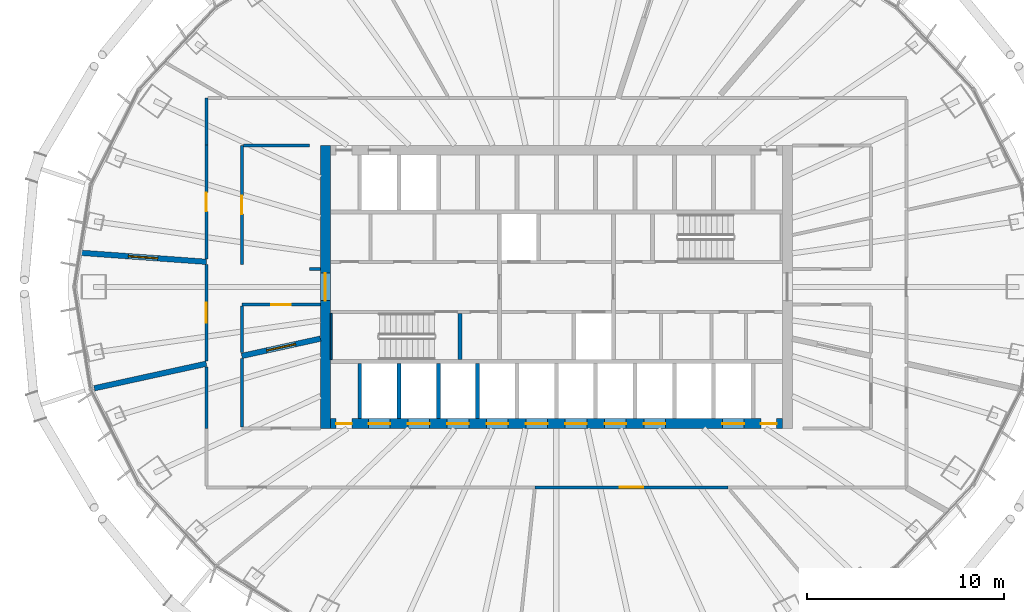
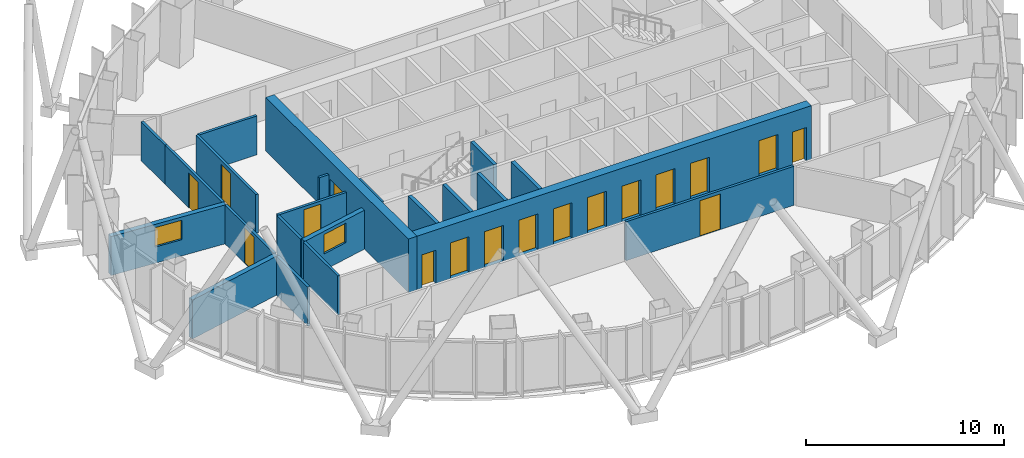
# One storey, part 8 of 18: 22 walls, 17 doors, 2 windows, 19 openings.
"""IFC4 building model written with IfcOpenShell, lengths in metres."""

from ifc_helpers import new_model, si_unit, direction, frame, frame_2d, origin, place, context, subcontext, project, spatial, rectangle, extrude, material, layer, layer_set, type_object, element, fill, save


model = new_model("IFC4")

# Units and contexts
model_context = context("Model", 3, precision=1e-05, world=origin(), true_north=direction((0.0, 1.0)))
body_context = subcontext(model_context, "Body", "Model", "MODEL_VIEW")
ifc_project = project(units=[si_unit("LENGTHUNIT", "METRE"), si_unit("AREAUNIT", "SQUARE_METRE"), si_unit("VOLUMEUNIT", "CUBIC_METRE"), si_unit("PLANEANGLEUNIT", "RADIAN"), si_unit("MASSUNIT", "GRAM", prefix="KILO")], contexts=[model_context])

# Site, building, storey
site_placement = place(None, origin())
site = spatial("IfcSite", under=ifc_project, at=site_placement, CompositionType="ELEMENT")
building_placement = place(site_placement, origin())
building = spatial("IfcBuilding", under=site, at=building_placement, Name="Siaravel Broadcast Tower", CompositionType="ELEMENT")
storey_placement = place(building_placement, frame((0.0, 0.0, 141.5)))
storey = spatial("IfcBuildingStorey", under=building, at=storey_placement, Name="L34", CompositionType="ELEMENT", Elevation=141.5)

# Wall, opening, window
ifc_material_1 = material(Name="Double-leaf acoustic partition", Category="gypsum")
ifc_layer_1 = layer(ifc_material_1, 0.280029296875)
ifc_layer_set_1 = layer_set([ifc_layer_1], Name="Double-leaf acoustic partition")
wall_type_1 = type_object("IfcWallType", Name="Acoustic double-leaf wall 280", PredefinedType="PARTITIONING", material=ifc_layer_set_1)
wall_1_placement = place(storey_placement, frame((-24.240234375, 1.737060546875, 0.0), z_axis=(0.0, 0.0, 1.0), x_axis=(0.997443129, -0.071464707, 0.0)))
wall_1 = element("IfcWall", 1, at=wall_1_placement, inside=storey, type_object=wall_type_1, Name="L34 partition 13", PredefinedType="PARTITIONING", context=body_context, shape_type="SweptSolid", body=[
    extrude(rectangle(XDim=6.456787109375, YDim=0.280029296875, at=frame_2d((3.228515625, 0.0))), origin(), (0.0, 0.0, 1.0), 2.39990234375),
])
opening_1_placement = place(wall_1_placement, frame((2.478271484375, 0.0, 1.0)))
opening_1 = element("IfcOpeningElement", 2, at=opening_1_placement, cuts=wall_1, Name="Opening L34-W04", PredefinedType="OPENING", context=body_context, shape_type="SweptSolid", body=[
    extrude(rectangle(XDim=1.5, YDim=1.199951171875, at=frame_2d((0.75, 0.60009765625))), frame((0.0, 0.14990234375, 0.0), z_axis=(0.0, -1.0, 0.0), x_axis=(1.0, 0.0, 0.0)), (0.0, 0.0, 1.0), 0.300048828125),
])
ifc_material_2 = material(Name="Laminated acoustic glass", Category="glass")
window_type = type_object("IfcWindowType", Name="Studio viewing window 1500", PartitioningType="SINGLE_PANEL", PredefinedType="WINDOW", material=ifc_material_2)
window_1_placement = place(opening_1_placement, origin())
window_1 = element("IfcWindow", 3, at=window_1_placement, inside=storey, type_object=window_type, Name="L34 viewing window to Post-production room", OverallHeight=1.199951171875, OverallWidth=1.5, PartitioningType="SINGLE_PANEL", PredefinedType="WINDOW", context=body_context, shape_type="SweptSolid", body=[
    extrude(rectangle(XDim=1.5, YDim=1.199951171875, at=frame_2d((0.75, 0.60009765625))), frame((0.0, 0.030029296875, 0.0), z_axis=(0.0, -1.0, 0.0), x_axis=(1.0, 0.0, 0.0)), (0.0, 0.0, 1.0), 0.06005859375),
])
fill(opening_1, window_1)

# Wall
wall_2_placement = place(storey_placement, frame((-17.800048828125, -3.90673828125, 0.0), z_axis=(0.0, 0.0, 1.0), x_axis=(-0.976754381, -0.21436156, 0.0)))
element("IfcWall", 4, at=wall_2_placement, inside=storey, type_object=wall_type_1, Name="L34 partition 17", PredefinedType="PARTITIONING", context=body_context, shape_type="SweptSolid", body=[
    extrude(rectangle(XDim=5.838134765625, YDim=0.280029296875, at=frame_2d((2.9189453125, 0.0))), origin(), (0.0, 0.0, 1.0), 2.39990234375),
])

# Wall, opening, window
wall_3_placement = place(storey_placement, frame((-12.0, -2.6337890625, 0.0), z_axis=(0.0, 0.0, 1.0), x_axis=(-0.976750433, -0.214379551, 0.0)))
wall_3 = element("IfcWall", 5, at=wall_3_placement, inside=storey, type_object=wall_type_1, Name="L34 partition 23", PredefinedType="PARTITIONING", context=body_context, shape_type="SweptSolid", body=[
    extrude(rectangle(XDim=4.09521484375, YDim=0.280029296875, at=frame_2d((2.047607421875, 0.0))), origin(), (0.0, 0.0, 1.0), 2.39990234375),
])
opening_2_placement = place(wall_3_placement, frame((1.297607421875, 0.0, 1.0)))
opening_2 = element("IfcOpeningElement", 6, at=opening_2_placement, cuts=wall_3, Name="Opening L34-W05", PredefinedType="OPENING", context=body_context, shape_type="SweptSolid", body=[
    extrude(rectangle(XDim=1.5, YDim=1.199951171875, at=frame_2d((0.75, 0.60009765625))), frame((0.0, 0.14990234375, 0.0), z_axis=(0.0, -1.0, 0.0), x_axis=(1.0, 0.0, 0.0)), (0.0, 0.0, 1.0), 0.300048828125),
])
window_2_placement = place(opening_2_placement, origin())
window_2 = element("IfcWindow", 7, at=window_2_placement, inside=storey, type_object=window_type, Name="L34 viewing window to Post-production room", OverallHeight=1.199951171875, OverallWidth=1.5, PartitioningType="SINGLE_PANEL", PredefinedType="WINDOW", context=body_context, shape_type="SweptSolid", body=[
    extrude(rectangle(XDim=1.5, YDim=1.199951171875, at=frame_2d((0.75, 0.60009765625))), frame((0.0, 0.030029296875, 0.0), z_axis=(0.0, -1.0, 0.0), x_axis=(1.0, 0.0, 0.0)), (0.0, 0.0, 1.0), 0.06005859375),
])
fill(opening_2, window_2)

# Wall, opening, door
ifc_material_3 = material(Name="Concrete C60/75", Category="concrete")
ifc_layer_2 = layer(ifc_material_3, 0.5)
ifc_layer_set_2 = layer_set([ifc_layer_2], Name="Concrete C60/75")
wall_type_2 = type_object("IfcWallType", Name="Core wall 500", PredefinedType="SHEAR", material=ifc_layer_set_2)
wall_4_placement = place(storey_placement, frame((-11.75, -7.199951171875, 0.0), z_axis=(0.0, 0.0, 1.0), x_axis=(0.0, 1.0, 0.0)))
wall_4 = element("IfcWall", 8, at=wall_4_placement, inside=storey, type_object=wall_type_2, Name="L34 core wall OW", PredefinedType="SHEAR", context=body_context, shape_type="SweptSolid", body=[
    extrude(rectangle(XDim=14.39990234375, YDim=0.5, at=frame_2d((7.199951171875, 0.0))), origin(), (0.0, 0.0, 1.0), 3.300048828125),
])
opening_3_placement = place(wall_4_placement, frame((6.5, 0.0, 0.0)))
opening_3 = element("IfcOpeningElement", 9, at=opening_3_placement, cuts=wall_4, Name="Opening L34-DX-W", PredefinedType="OPENING", context=body_context, shape_type="SweptSolid", body=[
    extrude(rectangle(XDim=1.39990234375, YDim=2.199951171875, at=frame_2d((0.699951171875, 1.10009765625))), frame((0.0, 0.260009765625, 0.0), z_axis=(0.0, -1.0, 0.0), x_axis=(1.0, 0.0, 0.0)), (0.0, 0.0, 1.0), 0.52001953125),
])
ifc_material_4 = material(Name="Steel", Category="steel")
door_type_1 = type_object("IfcDoorType", Name="Core exit door 1400", OperationType="DOUBLE_DOOR_SINGLE_SWING", PredefinedType="DOOR", material=ifc_material_4)
door_1_placement = place(opening_3_placement, origin())
door_1 = element("IfcDoor", 10, at=door_1_placement, inside=storey, type_object=door_type_1, Name="L34 door DX-W", OperationType="DOUBLE_DOOR_SINGLE_SWING", OverallHeight=2.199951171875, OverallWidth=1.39990234375, PredefinedType="DOOR", context=body_context, shape_type="SweptSolid", body=[
    extrude(rectangle(XDim=1.39990234375, YDim=2.199951171875, at=frame_2d((0.699951171875, 1.10009765625))), frame((0.0, 0.02490234375, 0.0), z_axis=(0.0, -1.0, 0.0), x_axis=(1.0, 0.0, 0.0)), (0.0, 0.0, 1.0), 0.050048828125),
])
fill(opening_3, door_1)

# Wall, openings, doors
wall_5_placement = place(storey_placement, frame((-11.5, -6.949951171875, 0.0), z_axis=(0.0, 0.0, 1.0), x_axis=(1.0, 0.0, 0.0)))
wall_5 = element("IfcWall", 11, at=wall_5_placement, inside=storey, type_object=wall_type_2, Name="L34 core wall OS", PredefinedType="SHEAR", context=body_context, shape_type="SweptSolid", body=[
    extrude(rectangle(XDim=23.0, YDim=0.5, at=frame_2d((11.5, 0.0))), origin(), (0.0, 0.0, 1.0), 3.300048828125),
])
opening_4_placement = place(wall_5_placement, frame((1.949951171875, 0.0, 0.0)))
opening_4 = element("IfcOpeningElement", 12, at=opening_4_placement, cuts=wall_5, Name="Opening LD-LP1-L34", PredefinedType="OPENING", context=body_context, shape_type="SweptSolid", body=[
    extrude(rectangle(XDim=1.10009765625, YDim=2.199951171875, at=frame_2d((0.550048828125, 1.10009765625))), frame((0.0, 0.260009765625, 0.0), z_axis=(0.0, -1.0, 0.0), x_axis=(1.0, 0.0, 0.0)), (0.0, 0.0, 1.0), 0.52001953125),
])
opening_5_placement = place(wall_5_placement, frame((3.949951171875, 0.0, 0.0)))
opening_5 = element("IfcOpeningElement", 13, at=opening_5_placement, cuts=wall_5, Name="Opening LD-LP2-L34", PredefinedType="OPENING", context=body_context, shape_type="SweptSolid", body=[
    extrude(rectangle(XDim=1.10009765625, YDim=2.199951171875, at=frame_2d((0.550048828125, 1.10009765625))), frame((0.0, 0.260009765625, 0.0), z_axis=(0.0, -1.0, 0.0), x_axis=(1.0, 0.0, 0.0)), (0.0, 0.0, 1.0), 0.52001953125),
])
opening_6_placement = place(wall_5_placement, frame((5.949951171875, 0.0, 0.0)))
opening_6 = element("IfcOpeningElement", 14, at=opening_6_placement, cuts=wall_5, Name="Opening LD-LP3-L34", PredefinedType="OPENING", context=body_context, shape_type="SweptSolid", body=[
    extrude(rectangle(XDim=1.10009765625, YDim=2.199951171875, at=frame_2d((0.550048828125, 1.10009765625))), frame((0.0, 0.260009765625, 0.0), z_axis=(0.0, -1.0, 0.0), x_axis=(1.0, 0.0, 0.0)), (0.0, 0.0, 1.0), 0.52001953125),
])
opening_7_placement = place(wall_5_placement, frame((7.949951171875, 0.0, 0.0)))
opening_7 = element("IfcOpeningElement", 15, at=opening_7_placement, cuts=wall_5, Name="Opening LD-LP4-L34", PredefinedType="OPENING", context=body_context, shape_type="SweptSolid", body=[
    extrude(rectangle(XDim=1.10009765625, YDim=2.199951171875, at=frame_2d((0.550048828125, 1.10009765625))), frame((0.0, 0.260009765625, 0.0), z_axis=(0.0, -1.0, 0.0), x_axis=(1.0, 0.0, 0.0)), (0.0, 0.0, 1.0), 0.52001953125),
])
opening_8_placement = place(wall_5_placement, frame((9.949951171875, 0.0, 0.0)))
opening_8 = element("IfcOpeningElement", 16, at=opening_8_placement, cuts=wall_5, Name="Opening LD-LP5-L34", PredefinedType="OPENING", context=body_context, shape_type="SweptSolid", body=[
    extrude(rectangle(XDim=1.10009765625, YDim=2.199951171875, at=frame_2d((0.550048828125, 1.10009765625))), frame((0.0, 0.260009765625, 0.0), z_axis=(0.0, -1.0, 0.0), x_axis=(1.0, 0.0, 0.0)), (0.0, 0.0, 1.0), 0.52001953125),
])
opening_9_placement = place(wall_5_placement, frame((11.949951171875, 0.0, 0.0)))
opening_9 = element("IfcOpeningElement", 17, at=opening_9_placement, cuts=wall_5, Name="Opening LD-LP6-L34", PredefinedType="OPENING", context=body_context, shape_type="SweptSolid", body=[
    extrude(rectangle(XDim=1.10009765625, YDim=2.199951171875, at=frame_2d((0.550048828125, 1.10009765625))), frame((0.0, 0.260009765625, 0.0), z_axis=(0.0, -1.0, 0.0), x_axis=(1.0, 0.0, 0.0)), (0.0, 0.0, 1.0), 0.52001953125),
])
opening_10_placement = place(wall_5_placement, frame((13.949951171875, 0.0, 0.0)))
opening_10 = element("IfcOpeningElement", 18, at=opening_10_placement, cuts=wall_5, Name="Opening LD-LP7-L34", PredefinedType="OPENING", context=body_context, shape_type="SweptSolid", body=[
    extrude(rectangle(XDim=1.10009765625, YDim=2.199951171875, at=frame_2d((0.550048828125, 1.10009765625))), frame((0.0, 0.260009765625, 0.0), z_axis=(0.0, -1.0, 0.0), x_axis=(1.0, 0.0, 0.0)), (0.0, 0.0, 1.0), 0.52001953125),
])
opening_11_placement = place(wall_5_placement, frame((15.949951171875, 0.0, 0.0)))
opening_11 = element("IfcOpeningElement", 19, at=opening_11_placement, cuts=wall_5, Name="Opening LD-LP8-L34", PredefinedType="OPENING", context=body_context, shape_type="SweptSolid", body=[
    extrude(rectangle(XDim=1.10009765625, YDim=2.199951171875, at=frame_2d((0.550048828125, 1.10009765625))), frame((0.0, 0.260009765625, 0.0), z_axis=(0.0, -1.0, 0.0), x_axis=(1.0, 0.0, 0.0)), (0.0, 0.0, 1.0), 0.52001953125),
])
opening_12_placement = place(wall_5_placement, frame((19.949951171875, 0.0, 0.0)))
opening_12 = element("IfcOpeningElement", 20, at=opening_12_placement, cuts=wall_5, Name="Opening LD-SV1-L34", PredefinedType="OPENING", context=body_context, shape_type="SweptSolid", body=[
    extrude(rectangle(XDim=1.10009765625, YDim=2.199951171875, at=frame_2d((0.550048828125, 1.10009765625))), frame((0.0, 0.260009765625, 0.0), z_axis=(0.0, -1.0, 0.0), x_axis=(1.0, 0.0, 0.0)), (0.0, 0.0, 1.0), 0.52001953125),
])
opening_13_placement = place(wall_5_placement, frame((0.300048828125, 0.0, 0.0)))
opening_13 = element("IfcOpeningElement", 21, at=opening_13_placement, cuts=wall_5, Name="Opening L34-DRSW", PredefinedType="OPENING", context=body_context, shape_type="SweptSolid", body=[
    extrude(rectangle(XDim=0.800048828125, YDim=2.050048828125, at=frame_2d((0.39990234375, 1.02490234375))), frame((0.0, 0.260009765625, 0.0), z_axis=(0.0, -1.0, 0.0), x_axis=(1.0, 0.0, 0.0)), (0.0, 0.0, 1.0), 0.52001953125),
])
opening_14_placement = place(wall_5_placement, frame((21.89990234375, 0.0, 0.0)))
opening_14 = element("IfcOpeningElement", 22, at=opening_14_placement, cuts=wall_5, Name="Opening L34-DRSE", PredefinedType="OPENING", context=body_context, shape_type="SweptSolid", body=[
    extrude(rectangle(XDim=0.800048828125, YDim=2.050048828125, at=frame_2d((0.39990234375, 1.02490234375))), frame((0.0, 0.260009765625, 0.0), z_axis=(0.0, -1.0, 0.0), x_axis=(1.0, 0.0, 0.0)), (0.0, 0.0, 1.0), 0.52001953125),
])
ifc_material_5 = material(Name="Stainless steel 316L", Category="steel")
door_type_2 = type_object("IfcDoorType", Name="Lift landing door 1100", OperationType="DOUBLE_DOOR_SLIDING", PredefinedType="DOOR", material=ifc_material_5)
door_2_placement = place(opening_4_placement, origin())
door_2 = element("IfcDoor", 23, at=door_2_placement, inside=storey, type_object=door_type_2, Name="Landing door LP1 L34", OperationType="DOUBLE_DOOR_SLIDING", OverallHeight=2.199951171875, OverallWidth=1.10009765625, PredefinedType="DOOR", context=body_context, shape_type="SweptSolid", body=[
    extrude(rectangle(XDim=1.10009765625, YDim=2.199951171875, at=frame_2d((0.550048828125, 1.10009765625))), frame((0.0, 0.02490234375, 0.0), z_axis=(0.0, -1.0, 0.0), x_axis=(1.0, 0.0, 0.0)), (0.0, 0.0, 1.0), 0.050048828125),
])
fill(opening_4, door_2)
door_3_placement = place(opening_5_placement, origin())
door_3 = element("IfcDoor", 24, at=door_3_placement, inside=storey, type_object=door_type_2, Name="Landing door LP2 L34", OperationType="DOUBLE_DOOR_SLIDING", OverallHeight=2.199951171875, OverallWidth=1.10009765625, PredefinedType="DOOR", context=body_context, shape_type="SweptSolid", body=[
    extrude(rectangle(XDim=1.10009765625, YDim=2.199951171875, at=frame_2d((0.550048828125, 1.10009765625))), frame((0.0, 0.02490234375, 0.0), z_axis=(0.0, -1.0, 0.0), x_axis=(1.0, 0.0, 0.0)), (0.0, 0.0, 1.0), 0.050048828125),
])
fill(opening_5, door_3)
door_4_placement = place(opening_6_placement, origin())
door_4 = element("IfcDoor", 25, at=door_4_placement, inside=storey, type_object=door_type_2, Name="Landing door LP3 L34", OperationType="DOUBLE_DOOR_SLIDING", OverallHeight=2.199951171875, OverallWidth=1.10009765625, PredefinedType="DOOR", context=body_context, shape_type="SweptSolid", body=[
    extrude(rectangle(XDim=1.10009765625, YDim=2.199951171875, at=frame_2d((0.550048828125, 1.10009765625))), frame((0.0, 0.02490234375, 0.0), z_axis=(0.0, -1.0, 0.0), x_axis=(1.0, 0.0, 0.0)), (0.0, 0.0, 1.0), 0.050048828125),
])
fill(opening_6, door_4)
door_5_placement = place(opening_7_placement, origin())
door_5 = element("IfcDoor", 26, at=door_5_placement, inside=storey, type_object=door_type_2, Name="Landing door LP4 L34", OperationType="DOUBLE_DOOR_SLIDING", OverallHeight=2.199951171875, OverallWidth=1.10009765625, PredefinedType="DOOR", context=body_context, shape_type="SweptSolid", body=[
    extrude(rectangle(XDim=1.10009765625, YDim=2.199951171875, at=frame_2d((0.550048828125, 1.10009765625))), frame((0.0, 0.02490234375, 0.0), z_axis=(0.0, -1.0, 0.0), x_axis=(1.0, 0.0, 0.0)), (0.0, 0.0, 1.0), 0.050048828125),
])
fill(opening_7, door_5)
door_6_placement = place(opening_8_placement, origin())
door_6 = element("IfcDoor", 27, at=door_6_placement, inside=storey, type_object=door_type_2, Name="Landing door LP5 L34", OperationType="DOUBLE_DOOR_SLIDING", OverallHeight=2.199951171875, OverallWidth=1.10009765625, PredefinedType="DOOR", context=body_context, shape_type="SweptSolid", body=[
    extrude(rectangle(XDim=1.10009765625, YDim=2.199951171875, at=frame_2d((0.550048828125, 1.10009765625))), frame((0.0, 0.02490234375, 0.0), z_axis=(0.0, -1.0, 0.0), x_axis=(1.0, 0.0, 0.0)), (0.0, 0.0, 1.0), 0.050048828125),
])
fill(opening_8, door_6)
door_7_placement = place(opening_9_placement, origin())
door_7 = element("IfcDoor", 28, at=door_7_placement, inside=storey, type_object=door_type_2, Name="Landing door LP6 L34", OperationType="DOUBLE_DOOR_SLIDING", OverallHeight=2.199951171875, OverallWidth=1.10009765625, PredefinedType="DOOR", context=body_context, shape_type="SweptSolid", body=[
    extrude(rectangle(XDim=1.10009765625, YDim=2.199951171875, at=frame_2d((0.550048828125, 1.10009765625))), frame((0.0, 0.02490234375, 0.0), z_axis=(0.0, -1.0, 0.0), x_axis=(1.0, 0.0, 0.0)), (0.0, 0.0, 1.0), 0.050048828125),
])
fill(opening_9, door_7)
door_8_placement = place(opening_10_placement, origin())
door_8 = element("IfcDoor", 29, at=door_8_placement, inside=storey, type_object=door_type_2, Name="Landing door LP7 L34", OperationType="DOUBLE_DOOR_SLIDING", OverallHeight=2.199951171875, OverallWidth=1.10009765625, PredefinedType="DOOR", context=body_context, shape_type="SweptSolid", body=[
    extrude(rectangle(XDim=1.10009765625, YDim=2.199951171875, at=frame_2d((0.550048828125, 1.10009765625))), frame((0.0, 0.02490234375, 0.0), z_axis=(0.0, -1.0, 0.0), x_axis=(1.0, 0.0, 0.0)), (0.0, 0.0, 1.0), 0.050048828125),
])
fill(opening_10, door_8)
door_9_placement = place(opening_11_placement, origin())
door_9 = element("IfcDoor", 30, at=door_9_placement, inside=storey, type_object=door_type_2, Name="Landing door LP8 L34", OperationType="DOUBLE_DOOR_SLIDING", OverallHeight=2.199951171875, OverallWidth=1.10009765625, PredefinedType="DOOR", context=body_context, shape_type="SweptSolid", body=[
    extrude(rectangle(XDim=1.10009765625, YDim=2.199951171875, at=frame_2d((0.550048828125, 1.10009765625))), frame((0.0, 0.02490234375, 0.0), z_axis=(0.0, -1.0, 0.0), x_axis=(1.0, 0.0, 0.0)), (0.0, 0.0, 1.0), 0.050048828125),
])
fill(opening_11, door_9)
door_type_3 = type_object("IfcDoorType", Name="Riser door 800", OperationType="SINGLE_SWING_LEFT", PredefinedType="DOOR", material=ifc_material_4)
door_10_placement = place(opening_13_placement, origin())
door_10 = element("IfcDoor", 31, at=door_10_placement, inside=storey, type_object=door_type_3, Name="L34 door DRSW", OperationType="SINGLE_SWING_LEFT", OverallHeight=2.050048828125, OverallWidth=0.800048828125, PredefinedType="DOOR", context=body_context, shape_type="SweptSolid", body=[
    extrude(rectangle(XDim=0.800048828125, YDim=2.050048828125, at=frame_2d((0.39990234375, 1.02490234375))), frame((0.0, 0.02490234375, 0.0), z_axis=(0.0, -1.0, 0.0), x_axis=(1.0, 0.0, 0.0)), (0.0, 0.0, 1.0), 0.050048828125),
])
fill(opening_13, door_10)
door_11_placement = place(opening_14_placement, origin())
door_11 = element("IfcDoor", 32, at=door_11_placement, inside=storey, type_object=door_type_3, Name="L34 door DRSE", OperationType="SINGLE_SWING_LEFT", OverallHeight=2.050048828125, OverallWidth=0.800048828125, PredefinedType="DOOR", context=body_context, shape_type="SweptSolid", body=[
    extrude(rectangle(XDim=0.800048828125, YDim=2.050048828125, at=frame_2d((0.39990234375, 1.02490234375))), frame((0.0, 0.02490234375, 0.0), z_axis=(0.0, -1.0, 0.0), x_axis=(1.0, 0.0, 0.0)), (0.0, 0.0, 1.0), 0.050048828125),
])
fill(opening_14, door_11)
door_type_4 = type_object("IfcDoorType", Name="Service lift landing door 1100", OperationType="DOUBLE_DOOR_SLIDING", PredefinedType="DOOR", material=ifc_material_5)
door_12_placement = place(opening_12_placement, origin())
door_12 = element("IfcDoor", 33, at=door_12_placement, inside=storey, type_object=door_type_4, Name="Landing door SV1 L34", OperationType="DOUBLE_DOOR_SLIDING", OverallHeight=2.199951171875, OverallWidth=1.10009765625, PredefinedType="DOOR", context=body_context, shape_type="SweptSolid", body=[
    extrude(rectangle(XDim=1.10009765625, YDim=2.199951171875, at=frame_2d((0.550048828125, 1.10009765625))), frame((0.0, 0.02490234375, 0.0), z_axis=(0.0, -1.0, 0.0), x_axis=(1.0, 0.0, 0.0)), (0.0, 0.0, 1.0), 0.050048828125),
])
fill(opening_12, door_12)

# Wall, opening, door
ifc_material_6 = material(Name="Gypsum board partition", Category="gypsum")
ifc_layer_3 = layer(ifc_material_6, 0.14990234375)
ifc_layer_set_3 = layer_set([ifc_layer_3], Name="Gypsum board partition")
wall_type_3 = type_object("IfcWallType", Name="Corridor wall 150", PredefinedType="PARTITIONING", material=ifc_layer_set_3)
wall_6_placement = place(storey_placement, frame((-1.08837890625, -10.199951171875, 0.0), z_axis=(0.0, 0.0, 1.0), x_axis=(1.0, 0.0, 0.0)))
wall_6 = element("IfcWall", 34, at=wall_6_placement, inside=storey, type_object=wall_type_3, Name="L34 partition 4", PredefinedType="PARTITIONING", context=body_context, shape_type="SweptSolid", body=[
    extrude(rectangle(XDim=9.8076171875, YDim=0.14990234375, at=frame_2d((4.90380859375, 0.0))), origin(), (0.0, 0.0, 1.0), 2.39990234375),
])
opening_15_placement = place(wall_6_placement, frame((4.303955078125, 0.0, 0.0)))
opening_15 = element("IfcOpeningElement", 35, at=opening_15_placement, cuts=wall_6, Name="Opening L34-004", PredefinedType="OPENING", context=body_context, shape_type="SweptSolid", body=[
    extrude(rectangle(XDim=1.199951171875, YDim=2.199951171875, at=frame_2d((0.60009765625, 1.10009765625))), frame((0.0, 0.0849609375, 0.0), z_axis=(0.0, -1.0, 0.0), x_axis=(1.0, 0.0, 0.0)), (0.0, 0.0, 1.0), 0.169921875),
])
ifc_material_7 = material(Name="Timber veneer", Category="wood")
door_type_5 = type_object("IfcDoorType", Name="Office double door 1200", OperationType="DOUBLE_DOOR_SINGLE_SWING", PredefinedType="DOOR", material=ifc_material_7)
door_13_placement = place(opening_15_placement, origin())
door_13 = element("IfcDoor", 36, at=door_13_placement, inside=storey, type_object=door_type_5, Name="L34 door to Open plan production office", OperationType="DOUBLE_DOOR_SINGLE_SWING", OverallHeight=2.199951171875, OverallWidth=1.199951171875, PredefinedType="DOOR", context=body_context, shape_type="SweptSolid", body=[
    extrude(rectangle(XDim=1.199951171875, YDim=2.199951171875, at=frame_2d((0.60009765625, 1.10009765625))), frame((0.0, 0.02490234375, 0.0), z_axis=(0.0, -1.0, 0.0), x_axis=(1.0, 0.0, 0.0)), (0.0, 0.0, 1.0), 0.050048828125),
])
fill(opening_15, door_13)

wall_7_placement = place(storey_placement, frame((-16.0, 1.146484375, 0.0), z_axis=(0.0, 0.0, 1.0), x_axis=(0.0, 1.0, 0.0)))
wall_7 = element("IfcWall", 37, at=wall_7_placement, inside=storey, type_object=wall_type_3, Name="L34 partition 15", PredefinedType="PARTITIONING", context=body_context, shape_type="SweptSolid", body=[
    extrude(rectangle(XDim=6.053466796875, YDim=0.14990234375, at=frame_2d((3.02685546875, 0.0))), origin(), (0.0, 0.0, 1.0), 2.39990234375),
])
opening_16_placement = place(wall_7_placement, frame((2.5517578125, 0.0, 0.0)))
opening_16 = element("IfcOpeningElement", 38, at=opening_16_placement, cuts=wall_7, Name="Opening L34-017", PredefinedType="OPENING", context=body_context, shape_type="SweptSolid", body=[
    extrude(rectangle(XDim=0.949951171875, YDim=2.14990234375, at=frame_2d((0.47509765625, 1.074951171875))), frame((0.0, 0.0849609375, 0.0), z_axis=(0.0, -1.0, 0.0), x_axis=(1.0, 0.0, 0.0)), (0.0, 0.0, 1.0), 0.169921875),
])
door_type_6 = type_object("IfcDoorType", Name="Office door 950", OperationType="SINGLE_SWING_LEFT", PredefinedType="DOOR", material=ifc_material_7)
door_14_placement = place(opening_16_placement, origin())
door_14 = element("IfcDoor", 39, at=door_14_placement, inside=storey, type_object=door_type_6, Name="L34 door to Production office", OperationType="SINGLE_SWING_LEFT", OverallHeight=2.14990234375, OverallWidth=0.949951171875, PredefinedType="DOOR", context=body_context, shape_type="SweptSolid", body=[
    extrude(rectangle(XDim=0.949951171875, YDim=2.14990234375, at=frame_2d((0.47509765625, 1.074951171875))), frame((0.0, 0.02490234375, 0.0), z_axis=(0.0, -1.0, 0.0), x_axis=(1.0, 0.0, 0.0)), (0.0, 0.0, 1.0), 0.050048828125),
])
fill(opening_16, door_14)

wall_8_placement = place(storey_placement, frame((-17.800048828125, 7.2119140625, 0.0), z_axis=(0.0, 0.0, 1.0), x_axis=(0.0, -1.0, 0.0)))
wall_8 = element("IfcWall", 40, at=wall_8_placement, inside=storey, type_object=wall_type_3, Name="L34 partition 16", PredefinedType="PARTITIONING", context=body_context, shape_type="SweptSolid", body=[
    extrude(rectangle(XDim=5.78857421875, YDim=0.14990234375, at=frame_2d((2.894287109375, 0.0))), origin(), (0.0, 0.0, 1.0), 2.39990234375),
])
opening_17_placement = place(wall_8_placement, frame((2.419189453125, 0.0, 0.0)))
opening_17 = element("IfcOpeningElement", 41, at=opening_17_placement, cuts=wall_8, Name="Opening L34-016", PredefinedType="OPENING", context=body_context, shape_type="SweptSolid", body=[
    extrude(rectangle(XDim=0.949951171875, YDim=2.14990234375, at=frame_2d((0.47509765625, 1.074951171875))), frame((0.0, 0.0849609375, 0.0), z_axis=(0.0, -1.0, 0.0), x_axis=(1.0, 0.0, 0.0)), (0.0, 0.0, 1.0), 0.169921875),
])
door_15_placement = place(opening_17_placement, origin())
door_15 = element("IfcDoor", 42, at=door_15_placement, inside=storey, type_object=door_type_6, Name="L34 door to Production office", OperationType="SINGLE_SWING_RIGHT", OverallHeight=2.14990234375, OverallWidth=0.949951171875, PredefinedType="DOOR", context=body_context, shape_type="SweptSolid", body=[
    extrude(rectangle(XDim=0.949951171875, YDim=2.14990234375, at=frame_2d((0.47509765625, 1.074951171875))), frame((0.0, 0.02490234375, 0.0), z_axis=(0.0, -1.0, 0.0), x_axis=(1.0, 0.0, 0.0)), (0.0, 0.0, 1.0), 0.050048828125),
])
fill(opening_17, door_15)

wall_9_placement = place(storey_placement, frame((-17.800048828125, 1.134033203125, 0.0), z_axis=(0.0, 0.0, 1.0), x_axis=(0.0, -1.0, 0.0)))
wall_9 = element("IfcWall", 43, at=wall_9_placement, inside=storey, type_object=wall_type_3, Name="L34 partition 21", PredefinedType="PARTITIONING", context=body_context, shape_type="SweptSolid", body=[
    extrude(rectangle(XDim=4.902099609375, YDim=0.14990234375, at=frame_2d((2.451171875, 0.0))), origin(), (0.0, 0.0, 1.0), 2.39990234375),
])
opening_18_placement = place(wall_9_placement, frame((1.950927734375, 0.0, 0.0)))
opening_18 = element("IfcOpeningElement", 44, at=opening_18_placement, cuts=wall_9, Name="Opening L34-018", PredefinedType="OPENING", context=body_context, shape_type="SweptSolid", body=[
    extrude(rectangle(XDim=1.0, YDim=2.199951171875, at=frame_2d((0.5, 1.10009765625))), frame((0.0, 0.0849609375, 0.0), z_axis=(0.0, -1.0, 0.0), x_axis=(1.0, 0.0, 0.0)), (0.0, 0.0, 1.0), 0.169921875),
])
ifc_material_8 = material(Name="Acoustic timber and steel", Category="steel")
door_type_7 = type_object("IfcDoorType", Name="Acoustic door 1000", OperationType="SINGLE_SWING_LEFT", PredefinedType="DOOR", material=ifc_material_8)
door_16_placement = place(opening_18_placement, origin())
door_16 = element("IfcDoor", 45, at=door_16_placement, inside=storey, type_object=door_type_7, Name="L34 door to Post-production room", OperationType="SINGLE_SWING_RIGHT", OverallHeight=2.199951171875, OverallWidth=1.0, PredefinedType="DOOR", context=body_context, shape_type="SweptSolid", body=[
    extrude(rectangle(XDim=1.0, YDim=2.199951171875, at=frame_2d((0.5, 1.10009765625))), frame((0.0, 0.02490234375, 0.0), z_axis=(0.0, -1.0, 0.0), x_axis=(1.0, 0.0, 0.0)), (0.0, 0.0, 1.0), 0.050048828125),
])
fill(opening_18, door_16)

wall_10_placement = place(storey_placement, frame((-16.0, -0.89990234375, 0.0), z_axis=(0.0, 0.0, 1.0), x_axis=(1.0, 0.0, 0.0)))
wall_10 = element("IfcWall", 46, at=wall_10_placement, inside=storey, type_object=wall_type_3, Name="L34 partition 26", PredefinedType="PARTITIONING", context=body_context, shape_type="SweptSolid", body=[
    extrude(rectangle(XDim=4.0, YDim=0.14990234375, at=frame_2d((2.0, 0.0))), origin(), (0.0, 0.0, 1.0), 2.39990234375),
])
opening_19_placement = place(wall_10_placement, frame((1.5, 0.0, 0.0)))
opening_19 = element("IfcOpeningElement", 47, at=opening_19_placement, cuts=wall_10, Name="Opening L34-019", PredefinedType="OPENING", context=body_context, shape_type="SweptSolid", body=[
    extrude(rectangle(XDim=1.0, YDim=2.199951171875, at=frame_2d((0.5, 1.10009765625))), frame((0.0, 0.0849609375, 0.0), z_axis=(0.0, -1.0, 0.0), x_axis=(1.0, 0.0, 0.0)), (0.0, 0.0, 1.0), 0.169921875),
])
door_17_placement = place(opening_19_placement, origin())
door_17 = element("IfcDoor", 48, at=door_17_placement, inside=storey, type_object=door_type_7, Name="L34 door to Post-production room", OperationType="SINGLE_SWING_LEFT", OverallHeight=2.199951171875, OverallWidth=1.0, PredefinedType="DOOR", context=body_context, shape_type="SweptSolid", body=[
    extrude(rectangle(XDim=1.0, YDim=2.199951171875, at=frame_2d((0.5, 1.10009765625))), frame((0.0, 0.02490234375, 0.0), z_axis=(0.0, -1.0, 0.0), x_axis=(1.0, 0.0, 0.0)), (0.0, 0.0, 1.0), 0.050048828125),
])
fill(opening_19, door_17)

# Walls
wall_11_placement = place(storey_placement, frame((-16.0, -7.123046875, 0.0), z_axis=(0.0, 0.0, 1.0), x_axis=(0.0, 1.0, 0.0)))
element("IfcWall", 49, at=wall_11_placement, inside=storey, type_object=wall_type_3, Name="L34 partition 31", PredefinedType="PARTITIONING", context=body_context, shape_type="SweptSolid", body=[
    extrude(rectangle(XDim=3.47265625, YDim=0.14990234375, at=frame_2d((1.736328125, 0.0))), origin(), (0.0, 0.0, 1.0), 2.39990234375),
])
wall_12_placement = place(storey_placement, frame((-15.923095703125, 7.199951171875, 0.0), z_axis=(0.0, 0.0, 1.0), x_axis=(1.0, 0.0, 0.0)))
element("IfcWall", 50, at=wall_12_placement, inside=storey, type_object=wall_type_3, Name="L34 partition 35", PredefinedType="PARTITIONING", context=body_context, shape_type="SweptSolid", body=[
    extrude(rectangle(XDim=3.36962890625, YDim=0.14990234375, at=frame_2d((1.684814453125, 0.0))), origin(), (0.0, 0.0, 1.0), 2.39990234375),
])
wall_13_placement = place(storey_placement, frame((-17.800048828125, -4.068603515625, 0.0), z_axis=(0.0, 0.0, 1.0), x_axis=(0.0, -1.0, 0.0)))
element("IfcWall", 51, at=wall_13_placement, inside=storey, type_object=wall_type_3, Name="L34 partition 37", PredefinedType="PARTITIONING", context=body_context, shape_type="SweptSolid", body=[
    extrude(rectangle(XDim=3.143310546875, YDim=0.14990234375, at=frame_2d((1.57177734375, 0.0))), origin(), (0.0, 0.0, 1.0), 2.39990234375),
])
wall_14_placement = place(storey_placement, frame((-16.0, -3.349853515625, 0.0), z_axis=(0.0, 0.0, 1.0), x_axis=(0.0, 1.0, 0.0)))
element("IfcWall", 52, at=wall_14_placement, inside=storey, type_object=wall_type_3, Name="L34 partition 42", PredefinedType="PARTITIONING", context=body_context, shape_type="SweptSolid", body=[
    extrude(rectangle(XDim=2.372802734375, YDim=0.14990234375, at=frame_2d((1.1865234375, 0.0))), origin(), (0.0, 0.0, 1.0), 2.39990234375),
])
wall_15_placement = place(storey_placement, frame((-17.800048828125, 9.60009765625, 0.0), z_axis=(0.0, 0.0, 1.0), x_axis=(0.0, -1.0, 0.0)))
element("IfcWall", 53, at=wall_15_placement, inside=storey, type_object=wall_type_3, Name="L34 partition 46", PredefinedType="PARTITIONING", context=body_context, shape_type="SweptSolid", body=[
    extrude(rectangle(XDim=2.38720703125, YDim=0.14990234375, at=frame_2d((1.193603515625, 0.0))), origin(), (0.0, 0.0, 1.0), 2.39990234375),
])
wall_16_placement = place(storey_placement, frame((-12.0, 0.89990234375, 0.0), z_axis=(0.0, 0.0, 1.0), x_axis=(-1.0, 0.0, 0.0)))
element("IfcWall", 54, at=wall_16_placement, inside=storey, type_object=wall_type_3, Name="L34 partition 50", PredefinedType="PARTITIONING", context=body_context, shape_type="SweptSolid", body=[
    extrude(rectangle(XDim=0.55859375, YDim=0.14990234375, at=frame_2d((0.279296875, 0.0))), origin(), (0.0, 0.0, 1.0), 2.39990234375),
])
ifc_layer_4 = layer(ifc_material_3, 0.10009765625)
ifc_layer_set_4 = layer_set([ifc_layer_4], Name="Concrete C60/75")
wall_type_4 = type_object("IfcWallType", Name="Shaft wall 100", PredefinedType="SHEAR", material=ifc_layer_set_4)
wall_17_placement = place(storey_placement, frame((-11.449951171875, -3.699951171875, 0.0), z_axis=(0.0, 0.0, 1.0), x_axis=(0.0, 1.0, 0.0)))
element("IfcWall", 55, at=wall_17_placement, inside=storey, type_object=wall_type_4, Name="L34 core wall ST1W", PredefinedType="SHEAR", context=body_context, shape_type="SweptSolid", body=[
    extrude(rectangle(XDim=2.349853515625, YDim=0.10009765625, at=frame_2d((1.1748046875, 0.0))), origin(), (0.0, 0.0, 1.0), 3.300048828125),
])
ifc_layer_5 = layer(ifc_material_3, 0.199951171875)
ifc_layer_set_5 = layer_set([ifc_layer_5], Name="Concrete C60/75")
wall_type_5 = type_object("IfcWallType", Name="Shaft wall 200", PredefinedType="SHEAR", material=ifc_layer_set_5)
for number, where, z_axis, x_axis, name in (
    (56, (-10.0, -6.699951171875, 0.0), (0.0, 0.0, 1.0), (0.0, 1.0, 0.0), "L34 core wall SWS0"),
    (57, (-8.0, -6.699951171875, 0.0), (0.0, 0.0, 1.0), (0.0, 1.0, 0.0), "L34 core wall SWS1"),
    (58, (-6.0, -6.699951171875, 0.0), (0.0, 0.0, 1.0), (0.0, 1.0, 0.0), "L34 core wall SWS2"),
    (59, (-4.0, -6.699951171875, 0.0), (0.0, 0.0, 1.0), (0.0, 1.0, 0.0), "L34 core wall SWS3"),
):
    element("IfcWall", number, at=place(storey_placement, frame(where, z_axis=z_axis, x_axis=x_axis)), inside=storey, type_object=wall_type_5, Name=name, PredefinedType="SHEAR", context=body_context, shape_type="SweptSolid", body=[
        extrude(rectangle(XDim=2.800048828125, YDim=0.199951171875, at=frame_2d((1.39990234375, 0.0))), origin(), (0.0, 0.0, 1.0), 3.300048828125),
    ])
wall_18_placement = place(storey_placement, frame((-4.89990234375, -3.699951171875, 0.0), z_axis=(0.0, 0.0, 1.0), x_axis=(0.0, 1.0, 0.0)))
element("IfcWall", 60, at=wall_18_placement, inside=storey, type_object=wall_type_5, Name="L34 core wall ST1E", PredefinedType="SHEAR", context=body_context, shape_type="SweptSolid", body=[
    extrude(rectangle(XDim=2.349853515625, YDim=0.199951171875, at=frame_2d((1.1748046875, 0.0))), origin(), (0.0, 0.0, 1.0), 3.300048828125),
])

save(model, "model.ifc")
